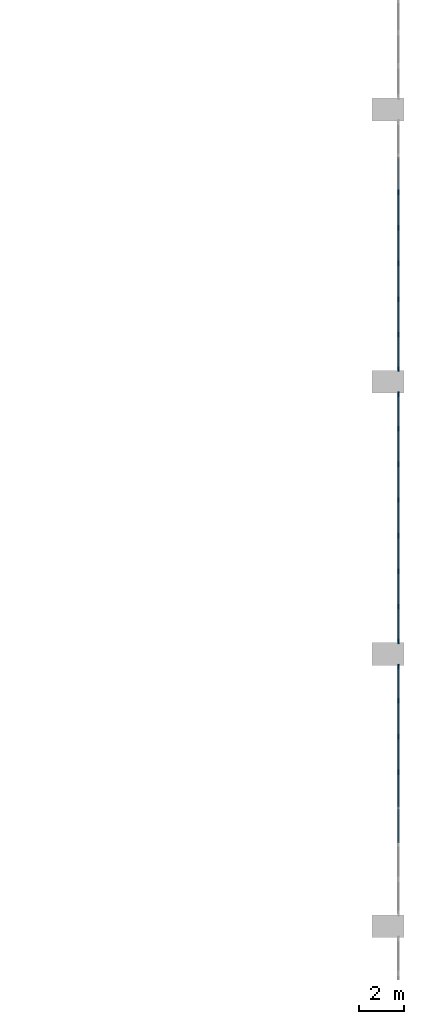
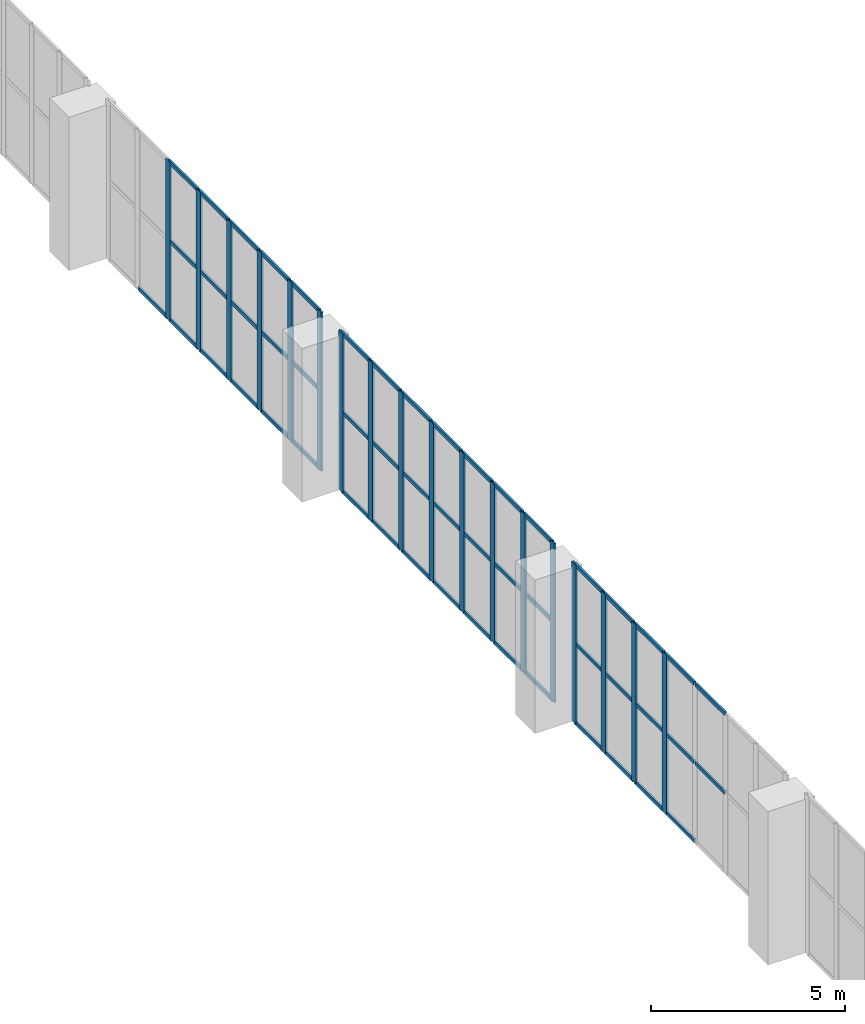
# One storey, part 16 of 69: 69 members, 3 elements without a shape of their own.
"""IFC4 building model written with IfcOpenShell, lengths in metres."""

from ifc_helpers import new_model, si_unit, direction, frame, origin, origin_2d, place, context, subcontext, project, spatial, rectangle, extrude, material, layer, layer_set, material_profile, profile_set, type_object, element, aggregate, save


model = new_model("IFC4")

# Units and contexts
model_context = context("Model", 3, precision=1e-05, world=origin(), true_north=direction((0.0, 1.0)))
body_context = subcontext(model_context, "Body", "Model", "MODEL_VIEW")
ifc_project = project(units=[si_unit("LENGTHUNIT", "METRE"), si_unit("AREAUNIT", "SQUARE_METRE"), si_unit("VOLUMEUNIT", "CUBIC_METRE"), si_unit("PLANEANGLEUNIT", "RADIAN"), si_unit("MASSUNIT", "GRAM", prefix="KILO")], contexts=[model_context])

# Site, building, storey
site_placement = place(None, origin())
site = spatial("IfcSite", under=ifc_project, at=site_placement, CompositionType="ELEMENT")
building_placement = place(site_placement, origin())
building = spatial("IfcBuilding", under=site, at=building_placement, Name="Lilac Gate Convention Centre", CompositionType="ELEMENT")
storey_placement = place(building_placement, frame((0.0, 0.0, 12.0)))
storey = spatial("IfcBuildingStorey", under=building, at=storey_placement, Name="L02", CompositionType="ELEMENT", Elevation=12.0)

# Curtain wall, members
ifc_material_1 = material(Name="Aluminium framed double glazing", Category="aluminium")
ifc_layer = layer(ifc_material_1, 0.199951171875)
ifc_layer_set = layer_set([ifc_layer], Name="Aluminium framed double glazing")
curtain_wall_type = type_object("IfcCurtainWallType", Name="Unitised curtain wall 1500", PredefinedType="NOTDEFINED", material=ifc_layer_set)
curtain_wall_1_placement = place(storey_placement, origin())
curtain_wall_1 = element("IfcCurtainWall", 1, at=curtain_wall_1_placement, inside=storey, type_object=curtain_wall_type, Name="Curtain wall HE L02 3", PredefinedType="NOTDEFINED")
ifc_material_2 = material(Name="Aluminium alloy 6063", Category="aluminium")
ifc_material_profile_1 = material_profile(ifc_material_2, rectangle(XDim=0.06005859375, YDim=0.219970703125, at=origin_2d()), Name="Curtain wall mullion 60 x 220")
ifc_profile_set_1 = profile_set([ifc_material_profile_1], Name="Aluminium alloy 6063")
member_type_1 = type_object("IfcMemberType", Name="Curtain wall mullion 60 x 220", PredefinedType="MULLION", material=ifc_profile_set_1)
member_1_placement = place(storey_placement, frame((90.449951171875, 60.78564453125, 0.0), z_axis=(0.0, 0.0, 1.0), x_axis=(-1.0, 0.0, 0.0)))
member_1 = element("IfcMember", 2, at=member_1_placement, type_object=member_type_1, Name="CW mullion 5", PredefinedType="MULLION", context=body_context, shape_type="SweptSolid", body=[
    extrude(rectangle(XDim=0.06005859375, YDim=0.219970703125, at=origin_2d()), origin(), (0.0, 0.0, 1.0), 5.0),
])
member_2_placement = place(storey_placement, frame((90.449951171875, 62.357177734375, 0.0), z_axis=(0.0, 0.0, 1.0), x_axis=(-1.0, 0.0, 0.0)))
member_2 = element("IfcMember", 3, at=member_2_placement, type_object=member_type_1, Name="CW mullion 6", PredefinedType="MULLION", context=body_context, shape_type="SweptSolid", body=[
    extrude(rectangle(XDim=0.06005859375, YDim=0.219970703125, at=origin_2d()), origin(), (0.0, 0.0, 1.0), 5.0),
])
member_3_placement = place(storey_placement, frame((90.449951171875, 63.928466796875, 0.0), z_axis=(0.0, 0.0, 1.0), x_axis=(-1.0, 0.0, 0.0)))
member_3 = element("IfcMember", 4, at=member_3_placement, type_object=member_type_1, Name="CW mullion 7", PredefinedType="MULLION", context=body_context, shape_type="SweptSolid", body=[
    extrude(rectangle(XDim=0.06005859375, YDim=0.219970703125, at=origin_2d()), origin(), (0.0, 0.0, 1.0), 5.0),
])
member_4_placement = place(storey_placement, frame((90.449951171875, 65.43994140625, 0.0), z_axis=(0.0, 0.0, 1.0), x_axis=(-1.0, 0.0, 0.0)))
member_4 = element("IfcMember", 5, at=member_4_placement, type_object=member_type_1, Name="CW mullion 8", PredefinedType="MULLION", context=body_context, shape_type="SweptSolid", body=[
    extrude(rectangle(XDim=0.06005859375, YDim=0.219970703125, at=origin_2d()), origin(), (0.0, 0.0, 1.0), 5.0),
])

curtain_wall_2_placement = place(storey_placement, origin())
curtain_wall_2 = element("IfcCurtainWall", 6, at=curtain_wall_2_placement, inside=storey, type_object=curtain_wall_type, Name="Curtain wall HE L02 4", PredefinedType="NOTDEFINED")
member_5_placement = place(storey_placement, frame((90.449951171875, 66.56005859375, 0.0), z_axis=(0.0, 0.0, 1.0), x_axis=(-1.0, 0.0, 0.0)))
member_5 = element("IfcMember", 7, at=member_5_placement, type_object=member_type_1, Name="CW mullion 1", PredefinedType="MULLION", context=body_context, shape_type="SweptSolid", body=[
    extrude(rectangle(XDim=0.06005859375, YDim=0.219970703125, at=origin_2d()), origin(), (0.0, 0.0, 1.0), 5.0),
])
member_6_placement = place(storey_placement, frame((90.449951171875, 68.071533203125, 0.0), z_axis=(0.0, 0.0, 1.0), x_axis=(-1.0, 0.0, 0.0)))
member_6 = element("IfcMember", 8, at=member_6_placement, type_object=member_type_1, Name="CW mullion 2", PredefinedType="MULLION", context=body_context, shape_type="SweptSolid", body=[
    extrude(rectangle(XDim=0.06005859375, YDim=0.219970703125, at=origin_2d()), origin(), (0.0, 0.0, 1.0), 5.0),
])
member_7_placement = place(storey_placement, frame((90.449951171875, 69.642822265625, 0.0), z_axis=(0.0, 0.0, 1.0), x_axis=(-1.0, 0.0, 0.0)))
member_7 = element("IfcMember", 9, at=member_7_placement, type_object=member_type_1, Name="CW mullion 3", PredefinedType="MULLION", context=body_context, shape_type="SweptSolid", body=[
    extrude(rectangle(XDim=0.06005859375, YDim=0.219970703125, at=origin_2d()), origin(), (0.0, 0.0, 1.0), 5.0),
])
member_8_placement = place(storey_placement, frame((90.449951171875, 71.21435546875, 0.0), z_axis=(0.0, 0.0, 1.0), x_axis=(-1.0, 0.0, 0.0)))
member_8 = element("IfcMember", 10, at=member_8_placement, type_object=member_type_1, Name="CW mullion 4", PredefinedType="MULLION", context=body_context, shape_type="SweptSolid", body=[
    extrude(rectangle(XDim=0.06005859375, YDim=0.219970703125, at=origin_2d()), origin(), (0.0, 0.0, 1.0), 5.0),
])
member_9_placement = place(storey_placement, frame((90.449951171875, 72.78564453125, 0.0), z_axis=(0.0, 0.0, 1.0), x_axis=(-1.0, 0.0, 0.0)))
member_9 = element("IfcMember", 11, at=member_9_placement, type_object=member_type_1, Name="CW mullion 5", PredefinedType="MULLION", context=body_context, shape_type="SweptSolid", body=[
    extrude(rectangle(XDim=0.06005859375, YDim=0.219970703125, at=origin_2d()), origin(), (0.0, 0.0, 1.0), 5.0),
])
member_10_placement = place(storey_placement, frame((90.449951171875, 74.357177734375, 0.0), z_axis=(0.0, 0.0, 1.0), x_axis=(-1.0, 0.0, 0.0)))
member_10 = element("IfcMember", 12, at=member_10_placement, type_object=member_type_1, Name="CW mullion 6", PredefinedType="MULLION", context=body_context, shape_type="SweptSolid", body=[
    extrude(rectangle(XDim=0.06005859375, YDim=0.219970703125, at=origin_2d()), origin(), (0.0, 0.0, 1.0), 5.0),
])
member_11_placement = place(storey_placement, frame((90.449951171875, 75.928466796875, 0.0), z_axis=(0.0, 0.0, 1.0), x_axis=(-1.0, 0.0, 0.0)))
member_11 = element("IfcMember", 13, at=member_11_placement, type_object=member_type_1, Name="CW mullion 7", PredefinedType="MULLION", context=body_context, shape_type="SweptSolid", body=[
    extrude(rectangle(XDim=0.06005859375, YDim=0.219970703125, at=origin_2d()), origin(), (0.0, 0.0, 1.0), 5.0),
])
member_12_placement = place(storey_placement, frame((90.449951171875, 77.43994140625, 0.0), z_axis=(0.0, 0.0, 1.0), x_axis=(-1.0, 0.0, 0.0)))
member_12 = element("IfcMember", 14, at=member_12_placement, type_object=member_type_1, Name="CW mullion 8", PredefinedType="MULLION", context=body_context, shape_type="SweptSolid", body=[
    extrude(rectangle(XDim=0.06005859375, YDim=0.219970703125, at=origin_2d()), origin(), (0.0, 0.0, 1.0), 5.0),
])

curtain_wall_3_placement = place(storey_placement, origin())
curtain_wall_3 = element("IfcCurtainWall", 15, at=curtain_wall_3_placement, inside=storey, type_object=curtain_wall_type, Name="Curtain wall HE L02 5", PredefinedType="NOTDEFINED")
member_13_placement = place(storey_placement, frame((90.449951171875, 78.56005859375, 0.0), z_axis=(0.0, 0.0, 1.0), x_axis=(-1.0, 0.0, 0.0)))
member_13 = element("IfcMember", 16, at=member_13_placement, type_object=member_type_1, Name="CW mullion 1", PredefinedType="MULLION", context=body_context, shape_type="SweptSolid", body=[
    extrude(rectangle(XDim=0.06005859375, YDim=0.219970703125, at=origin_2d()), origin(), (0.0, 0.0, 1.0), 5.0),
])
member_14_placement = place(storey_placement, frame((90.449951171875, 80.071533203125, 0.0), z_axis=(0.0, 0.0, 1.0), x_axis=(-1.0, 0.0, 0.0)))
member_14 = element("IfcMember", 17, at=member_14_placement, type_object=member_type_1, Name="CW mullion 2", PredefinedType="MULLION", context=body_context, shape_type="SweptSolid", body=[
    extrude(rectangle(XDim=0.06005859375, YDim=0.219970703125, at=origin_2d()), origin(), (0.0, 0.0, 1.0), 5.0),
])
member_15_placement = place(storey_placement, frame((90.449951171875, 81.642822265625, 0.0), z_axis=(0.0, 0.0, 1.0), x_axis=(-1.0, 0.0, 0.0)))
member_15 = element("IfcMember", 18, at=member_15_placement, type_object=member_type_1, Name="CW mullion 3", PredefinedType="MULLION", context=body_context, shape_type="SweptSolid", body=[
    extrude(rectangle(XDim=0.06005859375, YDim=0.219970703125, at=origin_2d()), origin(), (0.0, 0.0, 1.0), 5.0),
])
member_16_placement = place(storey_placement, frame((90.449951171875, 83.21435546875, 0.0), z_axis=(0.0, 0.0, 1.0), x_axis=(-1.0, 0.0, 0.0)))
member_16 = element("IfcMember", 19, at=member_16_placement, type_object=member_type_1, Name="CW mullion 4", PredefinedType="MULLION", context=body_context, shape_type="SweptSolid", body=[
    extrude(rectangle(XDim=0.06005859375, YDim=0.219970703125, at=origin_2d()), origin(), (0.0, 0.0, 1.0), 5.0),
])
member_17_placement = place(storey_placement, frame((90.449951171875, 84.78564453125, 0.0), z_axis=(0.0, 0.0, 1.0), x_axis=(-1.0, 0.0, 0.0)))
member_17 = element("IfcMember", 20, at=member_17_placement, type_object=member_type_1, Name="CW mullion 5", PredefinedType="MULLION", context=body_context, shape_type="SweptSolid", body=[
    extrude(rectangle(XDim=0.06005859375, YDim=0.219970703125, at=origin_2d()), origin(), (0.0, 0.0, 1.0), 5.0),
])
member_18_placement = place(storey_placement, frame((90.449951171875, 86.357177734375, 0.0), z_axis=(0.0, 0.0, 1.0), x_axis=(-1.0, 0.0, 0.0)))
member_18 = element("IfcMember", 21, at=member_18_placement, type_object=member_type_1, Name="CW mullion 6", PredefinedType="MULLION", context=body_context, shape_type="SweptSolid", body=[
    extrude(rectangle(XDim=0.06005859375, YDim=0.219970703125, at=origin_2d()), origin(), (0.0, 0.0, 1.0), 5.0),
])

# Member
ifc_material_profile_2 = material_profile(ifc_material_2, rectangle(XDim=0.06005859375, YDim=0.1201171875, at=origin_2d()), Name="Curtain wall transom 60 x 120")
ifc_profile_set_2 = profile_set([ifc_material_profile_2], Name="Aluminium alloy 6063")
member_type_2 = type_object("IfcMemberType", Name="Curtain wall transom 60 x 120", PredefinedType="USERDEFINED", material=ifc_profile_set_2)
member_19_placement = place(storey_placement, frame((90.449951171875, 57.6728515625, 2.5), z_axis=(0.0, 1.0, 0.0), x_axis=(-1.0, 0.0, 0.0)))
member_19 = element("IfcMember", 22, at=member_19_placement, type_object=member_type_2, Name="CW transom 3.2", ObjectType="TRANSOM", PredefinedType="USERDEFINED", context=body_context, shape_type="SweptSolid", body=[
    extrude(rectangle(XDim=0.06005859375, YDim=0.1201171875, at=origin_2d()), origin(), (0.0, 0.0, 1.0), 1.511474609375),
])

member_20_placement = place(storey_placement, frame((90.449951171875, 57.6728515625, 4.969970703125), z_axis=(0.0, 1.0, 0.0), x_axis=(-1.0, 0.0, 0.0)))
member_20 = element("IfcMember", 23, at=member_20_placement, type_object=member_type_2, Name="CW transom 3.3", ObjectType="TRANSOM", PredefinedType="USERDEFINED", context=body_context, shape_type="SweptSolid", body=[
    extrude(rectangle(XDim=0.06005859375, YDim=0.1201171875, at=origin_2d()), origin(), (0.0, 0.0, 1.0), 1.511474609375),
])

member_21_placement = place(storey_placement, frame((90.449951171875, 59.244384765625, 0.030029296875), z_axis=(0.0, 1.0, 0.0), x_axis=(-1.0, 0.0, 0.0)))
member_21 = element("IfcMember", 24, at=member_21_placement, type_object=member_type_2, Name="CW transom 4.1", ObjectType="TRANSOM", PredefinedType="USERDEFINED", context=body_context, shape_type="SweptSolid", body=[
    extrude(rectangle(XDim=0.06005859375, YDim=0.1201171875, at=origin_2d()), origin(), (0.0, 0.0, 1.0), 1.51123046875),
])

member_22_placement = place(storey_placement, frame((90.449951171875, 59.244384765625, 2.5), z_axis=(0.0, 1.0, 0.0), x_axis=(-1.0, 0.0, 0.0)))
member_22 = element("IfcMember", 25, at=member_22_placement, type_object=member_type_2, Name="CW transom 4.2", ObjectType="TRANSOM", PredefinedType="USERDEFINED", context=body_context, shape_type="SweptSolid", body=[
    extrude(rectangle(XDim=0.06005859375, YDim=0.1201171875, at=origin_2d()), origin(), (0.0, 0.0, 1.0), 1.51123046875),
])

member_23_placement = place(storey_placement, frame((90.449951171875, 59.244384765625, 4.969970703125), z_axis=(0.0, 1.0, 0.0), x_axis=(-1.0, 0.0, 0.0)))
member_23 = element("IfcMember", 26, at=member_23_placement, type_object=member_type_2, Name="CW transom 4.3", ObjectType="TRANSOM", PredefinedType="USERDEFINED", context=body_context, shape_type="SweptSolid", body=[
    extrude(rectangle(XDim=0.06005859375, YDim=0.1201171875, at=origin_2d()), origin(), (0.0, 0.0, 1.0), 1.51123046875),
])

member_24_placement = place(storey_placement, frame((90.449951171875, 60.815673828125, 0.030029296875), z_axis=(0.0, 1.0, 0.0), x_axis=(-1.0, 0.0, 0.0)))
member_24 = element("IfcMember", 27, at=member_24_placement, type_object=member_type_2, Name="CW transom 5.1", ObjectType="TRANSOM", PredefinedType="USERDEFINED", context=body_context, shape_type="SweptSolid", body=[
    extrude(rectangle(XDim=0.06005859375, YDim=0.1201171875, at=origin_2d()), origin(), (0.0, 0.0, 1.0), 1.511474609375),
])

member_25_placement = place(storey_placement, frame((90.449951171875, 60.815673828125, 2.5), z_axis=(0.0, 1.0, 0.0), x_axis=(-1.0, 0.0, 0.0)))
member_25 = element("IfcMember", 28, at=member_25_placement, type_object=member_type_2, Name="CW transom 5.2", ObjectType="TRANSOM", PredefinedType="USERDEFINED", context=body_context, shape_type="SweptSolid", body=[
    extrude(rectangle(XDim=0.06005859375, YDim=0.1201171875, at=origin_2d()), origin(), (0.0, 0.0, 1.0), 1.511474609375),
])

member_26_placement = place(storey_placement, frame((90.449951171875, 60.815673828125, 4.969970703125), z_axis=(0.0, 1.0, 0.0), x_axis=(-1.0, 0.0, 0.0)))
member_26 = element("IfcMember", 29, at=member_26_placement, type_object=member_type_2, Name="CW transom 5.3", ObjectType="TRANSOM", PredefinedType="USERDEFINED", context=body_context, shape_type="SweptSolid", body=[
    extrude(rectangle(XDim=0.06005859375, YDim=0.1201171875, at=origin_2d()), origin(), (0.0, 0.0, 1.0), 1.511474609375),
])

member_27_placement = place(storey_placement, frame((90.449951171875, 62.38720703125, 0.030029296875), z_axis=(0.0, 1.0, 0.0), x_axis=(-1.0, 0.0, 0.0)))
member_27 = element("IfcMember", 30, at=member_27_placement, type_object=member_type_2, Name="CW transom 6.1", ObjectType="TRANSOM", PredefinedType="USERDEFINED", context=body_context, shape_type="SweptSolid", body=[
    extrude(rectangle(XDim=0.06005859375, YDim=0.1201171875, at=origin_2d()), origin(), (0.0, 0.0, 1.0), 1.511474609375),
])

member_28_placement = place(storey_placement, frame((90.449951171875, 62.38720703125, 2.5), z_axis=(0.0, 1.0, 0.0), x_axis=(-1.0, 0.0, 0.0)))
member_28 = element("IfcMember", 31, at=member_28_placement, type_object=member_type_2, Name="CW transom 6.2", ObjectType="TRANSOM", PredefinedType="USERDEFINED", context=body_context, shape_type="SweptSolid", body=[
    extrude(rectangle(XDim=0.06005859375, YDim=0.1201171875, at=origin_2d()), origin(), (0.0, 0.0, 1.0), 1.511474609375),
])

member_29_placement = place(storey_placement, frame((90.449951171875, 62.38720703125, 4.969970703125), z_axis=(0.0, 1.0, 0.0), x_axis=(-1.0, 0.0, 0.0)))
member_29 = element("IfcMember", 32, at=member_29_placement, type_object=member_type_2, Name="CW transom 6.3", ObjectType="TRANSOM", PredefinedType="USERDEFINED", context=body_context, shape_type="SweptSolid", body=[
    extrude(rectangle(XDim=0.06005859375, YDim=0.1201171875, at=origin_2d()), origin(), (0.0, 0.0, 1.0), 1.511474609375),
])

member_30_placement = place(storey_placement, frame((90.449951171875, 63.95849609375, 0.030029296875), z_axis=(0.0, 1.0, 0.0), x_axis=(-1.0, 0.0, 0.0)))
member_30 = element("IfcMember", 33, at=member_30_placement, type_object=member_type_2, Name="CW transom 7.1", ObjectType="TRANSOM", PredefinedType="USERDEFINED", context=body_context, shape_type="SweptSolid", body=[
    extrude(rectangle(XDim=0.06005859375, YDim=0.1201171875, at=origin_2d()), origin(), (0.0, 0.0, 1.0), 1.4814453125),
])

member_31_placement = place(storey_placement, frame((90.449951171875, 63.95849609375, 2.5), z_axis=(0.0, 1.0, 0.0), x_axis=(-1.0, 0.0, 0.0)))
member_31 = element("IfcMember", 34, at=member_31_placement, type_object=member_type_2, Name="CW transom 7.2", ObjectType="TRANSOM", PredefinedType="USERDEFINED", context=body_context, shape_type="SweptSolid", body=[
    extrude(rectangle(XDim=0.06005859375, YDim=0.1201171875, at=origin_2d()), origin(), (0.0, 0.0, 1.0), 1.4814453125),
])

member_32_placement = place(storey_placement, frame((90.449951171875, 63.95849609375, 4.969970703125), z_axis=(0.0, 1.0, 0.0), x_axis=(-1.0, 0.0, 0.0)))
member_32 = element("IfcMember", 35, at=member_32_placement, type_object=member_type_2, Name="CW transom 7.3", ObjectType="TRANSOM", PredefinedType="USERDEFINED", context=body_context, shape_type="SweptSolid", body=[
    extrude(rectangle(XDim=0.06005859375, YDim=0.1201171875, at=origin_2d()), origin(), (0.0, 0.0, 1.0), 1.4814453125),
])

aggregate(curtain_wall_1, [member_1, member_2, member_3, member_4, member_19, member_20, member_21, member_22, member_23, member_24, member_25, member_26, member_27, member_28, member_29, member_30, member_31, member_32])

member_33_placement = place(storey_placement, frame((90.449951171875, 66.56005859375, 0.030029296875), z_axis=(0.0, 1.0, 0.0), x_axis=(-1.0, 0.0, 0.0)))
member_33 = element("IfcMember", 36, at=member_33_placement, type_object=member_type_2, Name="CW transom 1.1", ObjectType="TRANSOM", PredefinedType="USERDEFINED", context=body_context, shape_type="SweptSolid", body=[
    extrude(rectangle(XDim=0.06005859375, YDim=0.1201171875, at=origin_2d()), origin(), (0.0, 0.0, 1.0), 1.4814453125),
])

member_34_placement = place(storey_placement, frame((90.449951171875, 66.56005859375, 2.5), z_axis=(0.0, 1.0, 0.0), x_axis=(-1.0, 0.0, 0.0)))
member_34 = element("IfcMember", 37, at=member_34_placement, type_object=member_type_2, Name="CW transom 1.2", ObjectType="TRANSOM", PredefinedType="USERDEFINED", context=body_context, shape_type="SweptSolid", body=[
    extrude(rectangle(XDim=0.06005859375, YDim=0.1201171875, at=origin_2d()), origin(), (0.0, 0.0, 1.0), 1.4814453125),
])

member_35_placement = place(storey_placement, frame((90.449951171875, 66.56005859375, 4.969970703125), z_axis=(0.0, 1.0, 0.0), x_axis=(-1.0, 0.0, 0.0)))
member_35 = element("IfcMember", 38, at=member_35_placement, type_object=member_type_2, Name="CW transom 1.3", ObjectType="TRANSOM", PredefinedType="USERDEFINED", context=body_context, shape_type="SweptSolid", body=[
    extrude(rectangle(XDim=0.06005859375, YDim=0.1201171875, at=origin_2d()), origin(), (0.0, 0.0, 1.0), 1.4814453125),
])

member_36_placement = place(storey_placement, frame((90.449951171875, 68.101318359375, 0.030029296875), z_axis=(0.0, 1.0, 0.0), x_axis=(-1.0, 0.0, 0.0)))
member_36 = element("IfcMember", 39, at=member_36_placement, type_object=member_type_2, Name="CW transom 2.1", ObjectType="TRANSOM", PredefinedType="USERDEFINED", context=body_context, shape_type="SweptSolid", body=[
    extrude(rectangle(XDim=0.06005859375, YDim=0.1201171875, at=origin_2d()), origin(), (0.0, 0.0, 1.0), 1.511474609375),
])

member_37_placement = place(storey_placement, frame((90.449951171875, 68.101318359375, 2.5), z_axis=(0.0, 1.0, 0.0), x_axis=(-1.0, 0.0, 0.0)))
member_37 = element("IfcMember", 40, at=member_37_placement, type_object=member_type_2, Name="CW transom 2.2", ObjectType="TRANSOM", PredefinedType="USERDEFINED", context=body_context, shape_type="SweptSolid", body=[
    extrude(rectangle(XDim=0.06005859375, YDim=0.1201171875, at=origin_2d()), origin(), (0.0, 0.0, 1.0), 1.511474609375),
])

member_38_placement = place(storey_placement, frame((90.449951171875, 68.101318359375, 4.969970703125), z_axis=(0.0, 1.0, 0.0), x_axis=(-1.0, 0.0, 0.0)))
member_38 = element("IfcMember", 41, at=member_38_placement, type_object=member_type_2, Name="CW transom 2.3", ObjectType="TRANSOM", PredefinedType="USERDEFINED", context=body_context, shape_type="SweptSolid", body=[
    extrude(rectangle(XDim=0.06005859375, YDim=0.1201171875, at=origin_2d()), origin(), (0.0, 0.0, 1.0), 1.511474609375),
])

member_39_placement = place(storey_placement, frame((90.449951171875, 69.6728515625, 0.030029296875), z_axis=(0.0, 1.0, 0.0), x_axis=(-1.0, 0.0, 0.0)))
member_39 = element("IfcMember", 42, at=member_39_placement, type_object=member_type_2, Name="CW transom 3.1", ObjectType="TRANSOM", PredefinedType="USERDEFINED", context=body_context, shape_type="SweptSolid", body=[
    extrude(rectangle(XDim=0.06005859375, YDim=0.1201171875, at=origin_2d()), origin(), (0.0, 0.0, 1.0), 1.511474609375),
])

member_40_placement = place(storey_placement, frame((90.449951171875, 69.6728515625, 2.5), z_axis=(0.0, 1.0, 0.0), x_axis=(-1.0, 0.0, 0.0)))
member_40 = element("IfcMember", 43, at=member_40_placement, type_object=member_type_2, Name="CW transom 3.2", ObjectType="TRANSOM", PredefinedType="USERDEFINED", context=body_context, shape_type="SweptSolid", body=[
    extrude(rectangle(XDim=0.06005859375, YDim=0.1201171875, at=origin_2d()), origin(), (0.0, 0.0, 1.0), 1.511474609375),
])

member_41_placement = place(storey_placement, frame((90.449951171875, 69.6728515625, 4.969970703125), z_axis=(0.0, 1.0, 0.0), x_axis=(-1.0, 0.0, 0.0)))
member_41 = element("IfcMember", 44, at=member_41_placement, type_object=member_type_2, Name="CW transom 3.3", ObjectType="TRANSOM", PredefinedType="USERDEFINED", context=body_context, shape_type="SweptSolid", body=[
    extrude(rectangle(XDim=0.06005859375, YDim=0.1201171875, at=origin_2d()), origin(), (0.0, 0.0, 1.0), 1.511474609375),
])

member_42_placement = place(storey_placement, frame((90.449951171875, 71.244384765625, 0.030029296875), z_axis=(0.0, 1.0, 0.0), x_axis=(-1.0, 0.0, 0.0)))
member_42 = element("IfcMember", 45, at=member_42_placement, type_object=member_type_2, Name="CW transom 4.1", ObjectType="TRANSOM", PredefinedType="USERDEFINED", context=body_context, shape_type="SweptSolid", body=[
    extrude(rectangle(XDim=0.06005859375, YDim=0.1201171875, at=origin_2d()), origin(), (0.0, 0.0, 1.0), 1.51123046875),
])

member_43_placement = place(storey_placement, frame((90.449951171875, 71.244384765625, 2.5), z_axis=(0.0, 1.0, 0.0), x_axis=(-1.0, 0.0, 0.0)))
member_43 = element("IfcMember", 46, at=member_43_placement, type_object=member_type_2, Name="CW transom 4.2", ObjectType="TRANSOM", PredefinedType="USERDEFINED", context=body_context, shape_type="SweptSolid", body=[
    extrude(rectangle(XDim=0.06005859375, YDim=0.1201171875, at=origin_2d()), origin(), (0.0, 0.0, 1.0), 1.51123046875),
])

member_44_placement = place(storey_placement, frame((90.449951171875, 71.244384765625, 4.969970703125), z_axis=(0.0, 1.0, 0.0), x_axis=(-1.0, 0.0, 0.0)))
member_44 = element("IfcMember", 47, at=member_44_placement, type_object=member_type_2, Name="CW transom 4.3", ObjectType="TRANSOM", PredefinedType="USERDEFINED", context=body_context, shape_type="SweptSolid", body=[
    extrude(rectangle(XDim=0.06005859375, YDim=0.1201171875, at=origin_2d()), origin(), (0.0, 0.0, 1.0), 1.51123046875),
])

member_45_placement = place(storey_placement, frame((90.449951171875, 72.815673828125, 0.030029296875), z_axis=(0.0, 1.0, 0.0), x_axis=(-1.0, 0.0, 0.0)))
member_45 = element("IfcMember", 48, at=member_45_placement, type_object=member_type_2, Name="CW transom 5.1", ObjectType="TRANSOM", PredefinedType="USERDEFINED", context=body_context, shape_type="SweptSolid", body=[
    extrude(rectangle(XDim=0.06005859375, YDim=0.1201171875, at=origin_2d()), origin(), (0.0, 0.0, 1.0), 1.511474609375),
])

member_46_placement = place(storey_placement, frame((90.449951171875, 72.815673828125, 2.5), z_axis=(0.0, 1.0, 0.0), x_axis=(-1.0, 0.0, 0.0)))
member_46 = element("IfcMember", 49, at=member_46_placement, type_object=member_type_2, Name="CW transom 5.2", ObjectType="TRANSOM", PredefinedType="USERDEFINED", context=body_context, shape_type="SweptSolid", body=[
    extrude(rectangle(XDim=0.06005859375, YDim=0.1201171875, at=origin_2d()), origin(), (0.0, 0.0, 1.0), 1.511474609375),
])

member_47_placement = place(storey_placement, frame((90.449951171875, 72.815673828125, 4.969970703125), z_axis=(0.0, 1.0, 0.0), x_axis=(-1.0, 0.0, 0.0)))
member_47 = element("IfcMember", 50, at=member_47_placement, type_object=member_type_2, Name="CW transom 5.3", ObjectType="TRANSOM", PredefinedType="USERDEFINED", context=body_context, shape_type="SweptSolid", body=[
    extrude(rectangle(XDim=0.06005859375, YDim=0.1201171875, at=origin_2d()), origin(), (0.0, 0.0, 1.0), 1.511474609375),
])

member_48_placement = place(storey_placement, frame((90.449951171875, 74.38720703125, 0.030029296875), z_axis=(0.0, 1.0, 0.0), x_axis=(-1.0, 0.0, 0.0)))
member_48 = element("IfcMember", 51, at=member_48_placement, type_object=member_type_2, Name="CW transom 6.1", ObjectType="TRANSOM", PredefinedType="USERDEFINED", context=body_context, shape_type="SweptSolid", body=[
    extrude(rectangle(XDim=0.06005859375, YDim=0.1201171875, at=origin_2d()), origin(), (0.0, 0.0, 1.0), 1.511474609375),
])

member_49_placement = place(storey_placement, frame((90.449951171875, 74.38720703125, 2.5), z_axis=(0.0, 1.0, 0.0), x_axis=(-1.0, 0.0, 0.0)))
member_49 = element("IfcMember", 52, at=member_49_placement, type_object=member_type_2, Name="CW transom 6.2", ObjectType="TRANSOM", PredefinedType="USERDEFINED", context=body_context, shape_type="SweptSolid", body=[
    extrude(rectangle(XDim=0.06005859375, YDim=0.1201171875, at=origin_2d()), origin(), (0.0, 0.0, 1.0), 1.511474609375),
])

member_50_placement = place(storey_placement, frame((90.449951171875, 74.38720703125, 4.969970703125), z_axis=(0.0, 1.0, 0.0), x_axis=(-1.0, 0.0, 0.0)))
member_50 = element("IfcMember", 53, at=member_50_placement, type_object=member_type_2, Name="CW transom 6.3", ObjectType="TRANSOM", PredefinedType="USERDEFINED", context=body_context, shape_type="SweptSolid", body=[
    extrude(rectangle(XDim=0.06005859375, YDim=0.1201171875, at=origin_2d()), origin(), (0.0, 0.0, 1.0), 1.511474609375),
])

member_51_placement = place(storey_placement, frame((90.449951171875, 75.95849609375, 0.030029296875), z_axis=(0.0, 1.0, 0.0), x_axis=(-1.0, 0.0, 0.0)))
member_51 = element("IfcMember", 54, at=member_51_placement, type_object=member_type_2, Name="CW transom 7.1", ObjectType="TRANSOM", PredefinedType="USERDEFINED", context=body_context, shape_type="SweptSolid", body=[
    extrude(rectangle(XDim=0.06005859375, YDim=0.1201171875, at=origin_2d()), origin(), (0.0, 0.0, 1.0), 1.4814453125),
])

member_52_placement = place(storey_placement, frame((90.449951171875, 75.95849609375, 2.5), z_axis=(0.0, 1.0, 0.0), x_axis=(-1.0, 0.0, 0.0)))
member_52 = element("IfcMember", 55, at=member_52_placement, type_object=member_type_2, Name="CW transom 7.2", ObjectType="TRANSOM", PredefinedType="USERDEFINED", context=body_context, shape_type="SweptSolid", body=[
    extrude(rectangle(XDim=0.06005859375, YDim=0.1201171875, at=origin_2d()), origin(), (0.0, 0.0, 1.0), 1.4814453125),
])

member_53_placement = place(storey_placement, frame((90.449951171875, 75.95849609375, 4.969970703125), z_axis=(0.0, 1.0, 0.0), x_axis=(-1.0, 0.0, 0.0)))
member_53 = element("IfcMember", 56, at=member_53_placement, type_object=member_type_2, Name="CW transom 7.3", ObjectType="TRANSOM", PredefinedType="USERDEFINED", context=body_context, shape_type="SweptSolid", body=[
    extrude(rectangle(XDim=0.06005859375, YDim=0.1201171875, at=origin_2d()), origin(), (0.0, 0.0, 1.0), 1.4814453125),
])

aggregate(curtain_wall_2, [member_5, member_6, member_7, member_8, member_9, member_10, member_11, member_12, member_33, member_34, member_35, member_36, member_37, member_38, member_39, member_40, member_41, member_42, member_43, member_44, member_45, member_46, member_47, member_48, member_49, member_50, member_51, member_52, member_53])

member_54_placement = place(storey_placement, frame((90.449951171875, 78.56005859375, 0.030029296875), z_axis=(0.0, 1.0, 0.0), x_axis=(-1.0, 0.0, 0.0)))
member_54 = element("IfcMember", 57, at=member_54_placement, type_object=member_type_2, Name="CW transom 1.1", ObjectType="TRANSOM", PredefinedType="USERDEFINED", context=body_context, shape_type="SweptSolid", body=[
    extrude(rectangle(XDim=0.06005859375, YDim=0.1201171875, at=origin_2d()), origin(), (0.0, 0.0, 1.0), 1.4814453125),
])

member_55_placement = place(storey_placement, frame((90.449951171875, 78.56005859375, 2.5), z_axis=(0.0, 1.0, 0.0), x_axis=(-1.0, 0.0, 0.0)))
member_55 = element("IfcMember", 58, at=member_55_placement, type_object=member_type_2, Name="CW transom 1.2", ObjectType="TRANSOM", PredefinedType="USERDEFINED", context=body_context, shape_type="SweptSolid", body=[
    extrude(rectangle(XDim=0.06005859375, YDim=0.1201171875, at=origin_2d()), origin(), (0.0, 0.0, 1.0), 1.4814453125),
])

member_56_placement = place(storey_placement, frame((90.449951171875, 78.56005859375, 4.969970703125), z_axis=(0.0, 1.0, 0.0), x_axis=(-1.0, 0.0, 0.0)))
member_56 = element("IfcMember", 59, at=member_56_placement, type_object=member_type_2, Name="CW transom 1.3", ObjectType="TRANSOM", PredefinedType="USERDEFINED", context=body_context, shape_type="SweptSolid", body=[
    extrude(rectangle(XDim=0.06005859375, YDim=0.1201171875, at=origin_2d()), origin(), (0.0, 0.0, 1.0), 1.4814453125),
])

member_57_placement = place(storey_placement, frame((90.449951171875, 80.101318359375, 0.030029296875), z_axis=(0.0, 1.0, 0.0), x_axis=(-1.0, 0.0, 0.0)))
member_57 = element("IfcMember", 60, at=member_57_placement, type_object=member_type_2, Name="CW transom 2.1", ObjectType="TRANSOM", PredefinedType="USERDEFINED", context=body_context, shape_type="SweptSolid", body=[
    extrude(rectangle(XDim=0.06005859375, YDim=0.1201171875, at=origin_2d()), origin(), (0.0, 0.0, 1.0), 1.511474609375),
])

member_58_placement = place(storey_placement, frame((90.449951171875, 80.101318359375, 2.5), z_axis=(0.0, 1.0, 0.0), x_axis=(-1.0, 0.0, 0.0)))
member_58 = element("IfcMember", 61, at=member_58_placement, type_object=member_type_2, Name="CW transom 2.2", ObjectType="TRANSOM", PredefinedType="USERDEFINED", context=body_context, shape_type="SweptSolid", body=[
    extrude(rectangle(XDim=0.06005859375, YDim=0.1201171875, at=origin_2d()), origin(), (0.0, 0.0, 1.0), 1.511474609375),
])

member_59_placement = place(storey_placement, frame((90.449951171875, 80.101318359375, 4.969970703125), z_axis=(0.0, 1.0, 0.0), x_axis=(-1.0, 0.0, 0.0)))
member_59 = element("IfcMember", 62, at=member_59_placement, type_object=member_type_2, Name="CW transom 2.3", ObjectType="TRANSOM", PredefinedType="USERDEFINED", context=body_context, shape_type="SweptSolid", body=[
    extrude(rectangle(XDim=0.06005859375, YDim=0.1201171875, at=origin_2d()), origin(), (0.0, 0.0, 1.0), 1.511474609375),
])

member_60_placement = place(storey_placement, frame((90.449951171875, 81.6728515625, 0.030029296875), z_axis=(0.0, 1.0, 0.0), x_axis=(-1.0, 0.0, 0.0)))
member_60 = element("IfcMember", 63, at=member_60_placement, type_object=member_type_2, Name="CW transom 3.1", ObjectType="TRANSOM", PredefinedType="USERDEFINED", context=body_context, shape_type="SweptSolid", body=[
    extrude(rectangle(XDim=0.06005859375, YDim=0.1201171875, at=origin_2d()), origin(), (0.0, 0.0, 1.0), 1.511474609375),
])

member_61_placement = place(storey_placement, frame((90.449951171875, 81.6728515625, 2.5), z_axis=(0.0, 1.0, 0.0), x_axis=(-1.0, 0.0, 0.0)))
member_61 = element("IfcMember", 64, at=member_61_placement, type_object=member_type_2, Name="CW transom 3.2", ObjectType="TRANSOM", PredefinedType="USERDEFINED", context=body_context, shape_type="SweptSolid", body=[
    extrude(rectangle(XDim=0.06005859375, YDim=0.1201171875, at=origin_2d()), origin(), (0.0, 0.0, 1.0), 1.511474609375),
])

member_62_placement = place(storey_placement, frame((90.449951171875, 81.6728515625, 4.969970703125), z_axis=(0.0, 1.0, 0.0), x_axis=(-1.0, 0.0, 0.0)))
member_62 = element("IfcMember", 65, at=member_62_placement, type_object=member_type_2, Name="CW transom 3.3", ObjectType="TRANSOM", PredefinedType="USERDEFINED", context=body_context, shape_type="SweptSolid", body=[
    extrude(rectangle(XDim=0.06005859375, YDim=0.1201171875, at=origin_2d()), origin(), (0.0, 0.0, 1.0), 1.511474609375),
])

member_63_placement = place(storey_placement, frame((90.449951171875, 83.244384765625, 0.030029296875), z_axis=(0.0, 1.0, 0.0), x_axis=(-1.0, 0.0, 0.0)))
member_63 = element("IfcMember", 66, at=member_63_placement, type_object=member_type_2, Name="CW transom 4.1", ObjectType="TRANSOM", PredefinedType="USERDEFINED", context=body_context, shape_type="SweptSolid", body=[
    extrude(rectangle(XDim=0.06005859375, YDim=0.1201171875, at=origin_2d()), origin(), (0.0, 0.0, 1.0), 1.51123046875),
])

member_64_placement = place(storey_placement, frame((90.449951171875, 83.244384765625, 2.5), z_axis=(0.0, 1.0, 0.0), x_axis=(-1.0, 0.0, 0.0)))
member_64 = element("IfcMember", 67, at=member_64_placement, type_object=member_type_2, Name="CW transom 4.2", ObjectType="TRANSOM", PredefinedType="USERDEFINED", context=body_context, shape_type="SweptSolid", body=[
    extrude(rectangle(XDim=0.06005859375, YDim=0.1201171875, at=origin_2d()), origin(), (0.0, 0.0, 1.0), 1.51123046875),
])

member_65_placement = place(storey_placement, frame((90.449951171875, 83.244384765625, 4.969970703125), z_axis=(0.0, 1.0, 0.0), x_axis=(-1.0, 0.0, 0.0)))
member_65 = element("IfcMember", 68, at=member_65_placement, type_object=member_type_2, Name="CW transom 4.3", ObjectType="TRANSOM", PredefinedType="USERDEFINED", context=body_context, shape_type="SweptSolid", body=[
    extrude(rectangle(XDim=0.06005859375, YDim=0.1201171875, at=origin_2d()), origin(), (0.0, 0.0, 1.0), 1.51123046875),
])

member_66_placement = place(storey_placement, frame((90.449951171875, 84.815673828125, 0.030029296875), z_axis=(0.0, 1.0, 0.0), x_axis=(-1.0, 0.0, 0.0)))
member_66 = element("IfcMember", 69, at=member_66_placement, type_object=member_type_2, Name="CW transom 5.1", ObjectType="TRANSOM", PredefinedType="USERDEFINED", context=body_context, shape_type="SweptSolid", body=[
    extrude(rectangle(XDim=0.06005859375, YDim=0.1201171875, at=origin_2d()), origin(), (0.0, 0.0, 1.0), 1.511474609375),
])

member_67_placement = place(storey_placement, frame((90.449951171875, 84.815673828125, 2.5), z_axis=(0.0, 1.0, 0.0), x_axis=(-1.0, 0.0, 0.0)))
member_67 = element("IfcMember", 70, at=member_67_placement, type_object=member_type_2, Name="CW transom 5.2", ObjectType="TRANSOM", PredefinedType="USERDEFINED", context=body_context, shape_type="SweptSolid", body=[
    extrude(rectangle(XDim=0.06005859375, YDim=0.1201171875, at=origin_2d()), origin(), (0.0, 0.0, 1.0), 1.511474609375),
])

member_68_placement = place(storey_placement, frame((90.449951171875, 84.815673828125, 4.969970703125), z_axis=(0.0, 1.0, 0.0), x_axis=(-1.0, 0.0, 0.0)))
member_68 = element("IfcMember", 71, at=member_68_placement, type_object=member_type_2, Name="CW transom 5.3", ObjectType="TRANSOM", PredefinedType="USERDEFINED", context=body_context, shape_type="SweptSolid", body=[
    extrude(rectangle(XDim=0.06005859375, YDim=0.1201171875, at=origin_2d()), origin(), (0.0, 0.0, 1.0), 1.511474609375),
])

member_69_placement = place(storey_placement, frame((90.449951171875, 86.38720703125, 0.030029296875), z_axis=(0.0, 1.0, 0.0), x_axis=(-1.0, 0.0, 0.0)))
member_69 = element("IfcMember", 72, at=member_69_placement, type_object=member_type_2, Name="CW transom 6.1", ObjectType="TRANSOM", PredefinedType="USERDEFINED", context=body_context, shape_type="SweptSolid", body=[
    extrude(rectangle(XDim=0.06005859375, YDim=0.1201171875, at=origin_2d()), origin(), (0.0, 0.0, 1.0), 1.511474609375),
])

aggregate(curtain_wall_3, [member_13, member_14, member_15, member_16, member_17, member_18, member_54, member_55, member_56, member_57, member_58, member_59, member_60, member_61, member_62, member_63, member_64, member_65, member_66, member_67, member_68, member_69])

save(model, "model.ifc")
